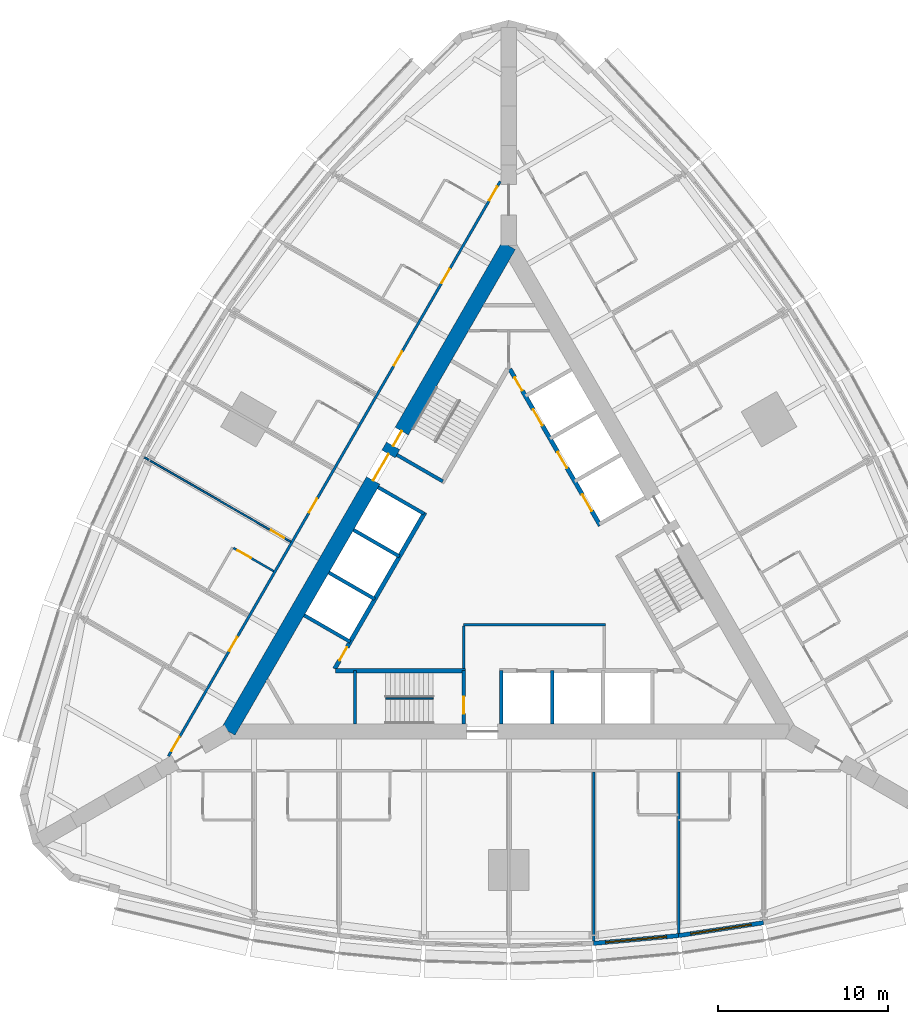
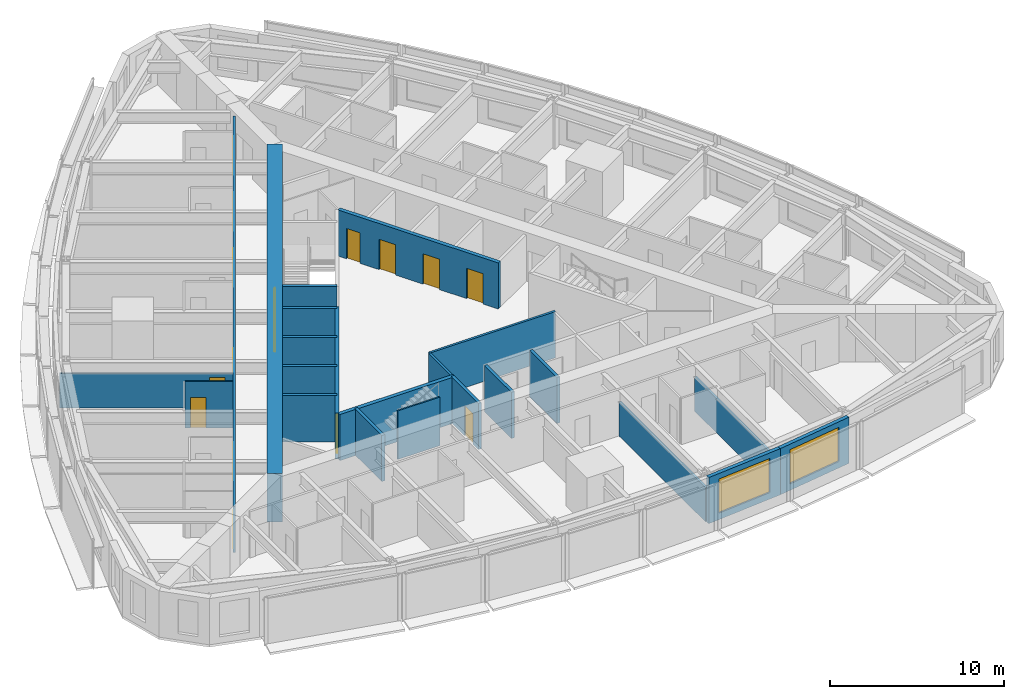
# One storey, part 9 of 14: 23 walls, 16 doors, 2 windows, 18 openings.
"""IFC4 building model written with IfcOpenShell, lengths in metres."""

from ifc_helpers import new_model, si_unit, direction, frame, frame_2d, origin, place, context, subcontext, project, spatial, rectangle, extrude, material, layer, layer_set, type_object, element, fill, save


model = new_model("IFC4")

# Units and contexts
model_context = context("Model", 3, precision=1e-05, world=origin(), true_north=direction((0.0, 1.0)))
body_context = subcontext(model_context, "Body", "Model", "MODEL_VIEW")
ifc_project = project(units=[si_unit("LENGTHUNIT", "METRE"), si_unit("AREAUNIT", "SQUARE_METRE"), si_unit("VOLUMEUNIT", "CUBIC_METRE"), si_unit("PLANEANGLEUNIT", "RADIAN"), si_unit("MASSUNIT", "GRAM", prefix="KILO")], contexts=[model_context])

# Site, building, storey
site_placement = place(None, origin())
site = spatial("IfcSite", under=ifc_project, at=site_placement, CompositionType="ELEMENT")
building_placement = place(site_placement, origin())
building = spatial("IfcBuilding", under=site, at=building_placement, Name="Trikona Tower", CompositionType="ELEMENT")
storey_placement = place(building_placement, frame((0.0, 0.0, 38.699951171875)))
storey = spatial("IfcBuildingStorey", under=building, at=storey_placement, Name="L08", CompositionType="ELEMENT", Elevation=38.699951171875)

# Wall, opening, door
ifc_material_1 = material(Name="Metal stud and cement board", Category="gypsum")
ifc_layer_1 = layer(ifc_material_1, 0.1201171875)
ifc_layer_set_1 = layer_set([ifc_layer_1], Name="Bathroom wall 120")
wall_type_1 = type_object("IfcWallType", Name="Bathroom wall 120", PredefinedType="PLUMBINGWALL", material=ifc_layer_set_1)
wall_1_placement = place(storey_placement, frame((-13.82861328125, -0.09912109375, 0.0), z_axis=(0.0, 0.0, 1.0), x_axis=(-0.865997131366, 0.500048966069, 0.0)))
wall_1 = element("IfcWall", 1, at=wall_1_placement, inside=storey, type_object=wall_type_1, Name="Bathroom wall 0816.1", PredefinedType="PLUMBINGWALL", context=body_context, shape_type="SweptSolid", body=[
    extrude(rectangle(XDim=2.739990234375, YDim=0.1201171875, at=frame_2d((1.3701171875, 0.0))), origin(), (0.0, 0.0, 1.0), 3.235107421875),
])
opening_1_placement = place(wall_1_placement, frame((1.550048828125, 0.0, 0.0)))
opening_1 = element("IfcOpeningElement", 2, at=opening_1_placement, cuts=wall_1, Name="Opening D2", PredefinedType="OPENING", context=body_context, shape_type="SweptSolid", body=[
    extrude(rectangle(XDim=0.89990234375, YDim=2.1298828125, at=frame_2d((0.449951171875, 1.06494140625))), frame((0.0, 0.070068359375, 0.0), z_axis=(0.0, -1.0, 0.0), x_axis=(1.0, 0.0, 0.0)), (0.0, 0.0, 1.0), 0.14013671875),
])
ifc_material_2 = material(Name="Steel door frame with solid-core timber leaf", Category="steel")
door_type_1 = type_object("IfcDoorType", Name="Bathroom door 900x2130", OperationType="SLIDING_TO_LEFT", PredefinedType="DOOR", material=ifc_material_2)
door_1_placement = place(opening_1_placement, origin())
door_1 = element("IfcDoor", 3, at=door_1_placement, inside=storey, type_object=door_type_1, Name="Bathroom door 0816.1", OperationType="SLIDING_TO_LEFT", OverallHeight=2.1298828125, OverallWidth=0.89990234375, PredefinedType="DOOR", context=body_context, shape_type="SweptSolid", body=[
    extrude(rectangle(XDim=0.89990234375, YDim=2.1298828125, at=frame_2d((0.449951171875, 1.06494140625))), frame((0.0, 0.02490234375, 0.0), z_axis=(0.0, -1.0, 0.0), x_axis=(1.0, 0.0, 0.0)), (0.0, 0.0, 1.0), 0.050048828125),
])
fill(opening_1, door_1)

# Wall, openings, doors
ifc_material_3 = material(Name="Concrete f'c 10000 psi", Category="concrete")
ifc_layer_2 = layer(ifc_material_3, 0.89990234375)
ifc_layer_set_2 = layer_set([ifc_layer_2], Name="Core wall 900")
wall_type_2 = type_object("IfcWallType", Name="Core wall 900", PredefinedType="SHEAR", material=ifc_layer_set_2)
wall_2_placement = place(storey_placement, frame((0.0, 19.052490234375, 0.0), z_axis=(0.0, 0.0, 1.0), x_axis=(-0.499999749417, -0.866025548458, 0.0)))
wall_2 = element("IfcWall", 4, at=wall_2_placement, inside=storey, type_object=wall_type_2, Name="Core wall C", PredefinedType="SHEAR", context=body_context, shape_type="SweptSolid", body=[
    extrude(rectangle(XDim=33.0, YDim=0.89990234375, at=frame_2d((16.5, 0.0))), origin(), (0.0, 0.0, 1.0), 3.400146484375),
])
opening_2_placement = place(wall_2_placement, frame((14.14990234375, 0.0, 0.0)))
opening_2 = element("IfcOpeningElement", 5, at=opening_2_placement, cuts=wall_2, Name="Opening D6", PredefinedType="OPENING", context=body_context, shape_type="SweptSolid", body=[
    extrude(rectangle(XDim=1.800048828125, YDim=2.1298828125, at=frame_2d((0.89990234375, 1.06494140625))), frame((0.0, 0.4599609375, 0.0), z_axis=(0.0, -1.0, 0.0), x_axis=(1.0, 0.0, 0.0)), (0.0, 0.0, 1.0), 0.919921875),
])
opening_3_placement = place(wall_2_placement, frame((12.60009765625, 0.0, 0.0)))
opening_3 = element("IfcOpeningElement", 6, at=opening_3_placement, cuts=wall_2, Name="Opening D5", PredefinedType="OPENING", context=body_context, shape_type="SweptSolid", body=[
    extrude(rectangle(XDim=1.0, YDim=2.1298828125, at=frame_2d((0.5, 1.06494140625))), frame((0.0, 0.4599609375, 0.0), z_axis=(0.0, -1.0, 0.0), x_axis=(1.0, 0.0, 0.0)), (0.0, 0.0, 1.0), 0.919921875),
])
ifc_material_4 = material(Name="Hollow metal door and frame", Category="steel")
door_type_2 = type_object("IfcDoorType", Name="Lobby door pair 1800x2130", OperationType="DOUBLE_DOOR_SINGLE_SWING", PredefinedType="DOOR", material=ifc_material_4)
door_2_placement = place(opening_2_placement, origin())
door_2 = element("IfcDoor", 7, at=door_2_placement, inside=storey, type_object=door_type_2, Name="Lift lobby door C", OperationType="DOUBLE_DOOR_SINGLE_SWING", OverallHeight=2.1298828125, OverallWidth=1.800048828125, PredefinedType="DOOR", context=body_context, shape_type="SweptSolid", body=[
    extrude(rectangle(XDim=1.800048828125, YDim=2.1298828125, at=frame_2d((0.89990234375, 1.06494140625))), frame((0.0, 0.02490234375, 0.0), z_axis=(0.0, -1.0, 0.0), x_axis=(1.0, 0.0, 0.0)), (0.0, 0.0, 1.0), 0.050048828125),
])
fill(opening_2, door_2)
ifc_material_5 = material(Name="Hollow metal door and frame", Category="steel")
door_type_3 = type_object("IfcDoorType", Name="Stair door 1000x2130", OperationType="SINGLE_SWING_LEFT", PredefinedType="DOOR", material=ifc_material_5)
door_3_placement = place(opening_3_placement, origin())
door_3 = element("IfcDoor", 8, at=door_3_placement, inside=storey, type_object=door_type_3, Name="Stair C door", OperationType="SINGLE_SWING_RIGHT", OverallHeight=2.1298828125, OverallWidth=1.0, PredefinedType="DOOR", context=body_context, shape_type="SweptSolid", body=[
    extrude(rectangle(XDim=1.0, YDim=2.1298828125, at=frame_2d((0.5, 1.06494140625))), frame((0.0, 0.02490234375, 0.0), z_axis=(0.0, -1.0, 0.0), x_axis=(1.0, 0.0, 0.0)), (0.0, 0.0, 1.0), 0.050048828125),
])
fill(opening_3, door_3)

ifc_material_6 = material(Name="Metal stud and gypsum board, 1-hour", Category="gypsum")
ifc_layer_3 = layer(ifc_material_6, 0.14990234375)
ifc_layer_set_3 = layer_set([ifc_layer_3], Name="Corridor wall 150")
wall_type_3 = type_object("IfcWallType", Name="Corridor wall 150", PredefinedType="PARTITIONING", material=ifc_layer_set_3)
wall_3_placement = place(storey_placement, frame((-0.5, 22.83642578125, 0.0), z_axis=(0.0, 0.0, 1.0), x_axis=(-0.500001677587, -0.866024435227, 0.0)))
wall_3 = element("IfcWall", 9, at=wall_3_placement, inside=storey, type_object=wall_type_3, Name="Corridor wall L08-3", PredefinedType="PARTITIONING", context=body_context, shape_type="SweptSolid", body=[
    extrude(rectangle(XDim=39.053955078125, YDim=0.14990234375, at=frame_2d((19.52685546875, 0.0))), origin(), (0.0, 0.0, 1.0), 3.235107421875),
])
opening_4_placement = place(wall_3_placement, frame((0.35205078125, 0.0, 0.0)))
opening_4 = element("IfcOpeningElement", 10, at=opening_4_placement, cuts=wall_3, Name="Opening D1", PredefinedType="OPENING", context=body_context, shape_type="SweptSolid", body=[
    extrude(rectangle(XDim=0.949951171875, YDim=2.1298828125, at=frame_2d((0.47509765625, 1.06494140625))), frame((0.0, 0.0849609375, 0.0), z_axis=(0.0, -1.0, 0.0), x_axis=(1.0, 0.0, 0.0)), (0.0, 0.0, 1.0), 0.169921875),
])
opening_5_placement = place(wall_3_placement, frame((5.951904296875, 0.0, 0.0)))
opening_5 = element("IfcOpeningElement", 11, at=opening_5_placement, cuts=wall_3, Name="Opening D1", PredefinedType="OPENING", context=body_context, shape_type="SweptSolid", body=[
    extrude(rectangle(XDim=0.949951171875, YDim=2.1298828125, at=frame_2d((0.47509765625, 1.06494140625))), frame((0.0, 0.0849609375, 0.0), z_axis=(0.0, -1.0, 0.0), x_axis=(1.0, 0.0, 0.0)), (0.0, 0.0, 1.0), 0.169921875),
])
opening_6_placement = place(wall_3_placement, frame((11.552001953125, 0.0, 0.0)))
opening_6 = element("IfcOpeningElement", 12, at=opening_6_placement, cuts=wall_3, Name="Opening D1", PredefinedType="OPENING", context=body_context, shape_type="SweptSolid", body=[
    extrude(rectangle(XDim=0.949951171875, YDim=2.1298828125, at=frame_2d((0.47509765625, 1.06494140625))), frame((0.0, 0.0849609375, 0.0), z_axis=(0.0, -1.0, 0.0), x_axis=(1.0, 0.0, 0.0)), (0.0, 0.0, 1.0), 0.169921875),
])
opening_7_placement = place(wall_3_placement, frame((21.552001953125, 0.0, 0.0)))
opening_7 = element("IfcOpeningElement", 13, at=opening_7_placement, cuts=wall_3, Name="Opening D1", PredefinedType="OPENING", context=body_context, shape_type="SweptSolid", body=[
    extrude(rectangle(XDim=0.949951171875, YDim=2.1298828125, at=frame_2d((0.47509765625, 1.06494140625))), frame((0.0, 0.0849609375, 0.0), z_axis=(0.0, -1.0, 0.0), x_axis=(1.0, 0.0, 0.0)), (0.0, 0.0, 1.0), 0.169921875),
])
opening_8_placement = place(wall_3_placement, frame((30.951904296875, 0.0, 0.0)))
opening_8 = element("IfcOpeningElement", 14, at=opening_8_placement, cuts=wall_3, Name="Opening D1", PredefinedType="OPENING", context=body_context, shape_type="SweptSolid", body=[
    extrude(rectangle(XDim=0.949951171875, YDim=2.1298828125, at=frame_2d((0.47509765625, 1.06494140625))), frame((0.0, 0.0849609375, 0.0), z_axis=(0.0, -1.0, 0.0), x_axis=(1.0, 0.0, 0.0)), (0.0, 0.0, 1.0), 0.169921875),
])
opening_9_placement = place(wall_3_placement, frame((37.751953125, 0.0, 0.0)))
opening_9 = element("IfcOpeningElement", 15, at=opening_9_placement, cuts=wall_3, Name="Opening D1", PredefinedType="OPENING", context=body_context, shape_type="SweptSolid", body=[
    extrude(rectangle(XDim=0.949951171875, YDim=2.1298828125, at=frame_2d((0.47509765625, 1.06494140625))), frame((0.0, 0.0849609375, 0.0), z_axis=(0.0, -1.0, 0.0), x_axis=(1.0, 0.0, 0.0)), (0.0, 0.0, 1.0), 0.169921875),
])
ifc_material_7 = material(Name="Steel door frame with solid-core timber leaf", Category="steel")
door_type_4 = type_object("IfcDoorType", Name="Guest room door 950x2130", OperationType="SINGLE_SWING_LEFT", PredefinedType="DOOR", material=ifc_material_7)
door_4_placement = place(opening_4_placement, origin())
door_4 = element("IfcDoor", 16, at=door_4_placement, inside=storey, type_object=door_type_4, Name="Room door 0813", OperationType="SINGLE_SWING_LEFT", OverallHeight=2.1298828125, OverallWidth=0.949951171875, PredefinedType="DOOR", context=body_context, shape_type="SweptSolid", body=[
    extrude(rectangle(XDim=0.949951171875, YDim=2.1298828125, at=frame_2d((0.47509765625, 1.06494140625))), frame((0.0, 0.02490234375, 0.0), z_axis=(0.0, -1.0, 0.0), x_axis=(1.0, 0.0, 0.0)), (0.0, 0.0, 1.0), 0.050048828125),
])
fill(opening_4, door_4)
door_5_placement = place(opening_5_placement, origin())
door_5 = element("IfcDoor", 17, at=door_5_placement, inside=storey, type_object=door_type_4, Name="Room door 0814", OperationType="SINGLE_SWING_RIGHT", OverallHeight=2.1298828125, OverallWidth=0.949951171875, PredefinedType="DOOR", context=body_context, shape_type="SweptSolid", body=[
    extrude(rectangle(XDim=0.949951171875, YDim=2.1298828125, at=frame_2d((0.47509765625, 1.06494140625))), frame((0.0, 0.02490234375, 0.0), z_axis=(0.0, -1.0, 0.0), x_axis=(1.0, 0.0, 0.0)), (0.0, 0.0, 1.0), 0.050048828125),
])
fill(opening_5, door_5)
door_6_placement = place(opening_6_placement, origin())
door_6 = element("IfcDoor", 18, at=door_6_placement, inside=storey, type_object=door_type_4, Name="Room door 0815", OperationType="SINGLE_SWING_LEFT", OverallHeight=2.1298828125, OverallWidth=0.949951171875, PredefinedType="DOOR", context=body_context, shape_type="SweptSolid", body=[
    extrude(rectangle(XDim=0.949951171875, YDim=2.1298828125, at=frame_2d((0.47509765625, 1.06494140625))), frame((0.0, 0.02490234375, 0.0), z_axis=(0.0, -1.0, 0.0), x_axis=(1.0, 0.0, 0.0)), (0.0, 0.0, 1.0), 0.050048828125),
])
fill(opening_6, door_6)
door_7_placement = place(opening_7_placement, origin())
door_7 = element("IfcDoor", 19, at=door_7_placement, inside=storey, type_object=door_type_4, Name="Room door 0816", OperationType="SINGLE_SWING_RIGHT", OverallHeight=2.1298828125, OverallWidth=0.949951171875, PredefinedType="DOOR", context=body_context, shape_type="SweptSolid", body=[
    extrude(rectangle(XDim=0.949951171875, YDim=2.1298828125, at=frame_2d((0.47509765625, 1.06494140625))), frame((0.0, 0.02490234375, 0.0), z_axis=(0.0, -1.0, 0.0), x_axis=(1.0, 0.0, 0.0)), (0.0, 0.0, 1.0), 0.050048828125),
])
fill(opening_7, door_7)
door_8_placement = place(opening_8_placement, origin())
door_8 = element("IfcDoor", 20, at=door_8_placement, inside=storey, type_object=door_type_4, Name="Room door 0817", OperationType="SINGLE_SWING_LEFT", OverallHeight=2.1298828125, OverallWidth=0.949951171875, PredefinedType="DOOR", context=body_context, shape_type="SweptSolid", body=[
    extrude(rectangle(XDim=0.949951171875, YDim=2.1298828125, at=frame_2d((0.47509765625, 1.06494140625))), frame((0.0, 0.02490234375, 0.0), z_axis=(0.0, -1.0, 0.0), x_axis=(1.0, 0.0, 0.0)), (0.0, 0.0, 1.0), 0.050048828125),
])
fill(opening_8, door_8)
door_9_placement = place(opening_9_placement, origin())
door_9 = element("IfcDoor", 21, at=door_9_placement, inside=storey, type_object=door_type_4, Name="Room door 0818", OperationType="SINGLE_SWING_RIGHT", OverallHeight=2.1298828125, OverallWidth=0.949951171875, PredefinedType="DOOR", context=body_context, shape_type="SweptSolid", body=[
    extrude(rectangle(XDim=0.949951171875, YDim=2.1298828125, at=frame_2d((0.47509765625, 1.06494140625))), frame((0.0, 0.02490234375, 0.0), z_axis=(0.0, -1.0, 0.0), x_axis=(1.0, 0.0, 0.0)), (0.0, 0.0, 1.0), 0.050048828125),
])
fill(opening_9, door_9)

# Wall
ifc_material_8 = material(Name="Concrete f'c 8000 psi", Category="concrete")
ifc_layer_4 = layer(ifc_material_8, 0.25)
ifc_layer_set_4 = layer_set([ifc_layer_4], Name="Hub wall 250")
wall_type_4 = type_object("IfcWallType", Name="Hub wall 250", PredefinedType="SOLIDWALL", material=ifc_layer_set_4)
wall_4_placement = place(storey_placement, frame((-10.182861328125, -5.951416015625, 0.0), z_axis=(0.0, 0.0, 1.0), x_axis=(1.0, 0.0, 0.0)))
element("IfcWall", 22, at=wall_4_placement, inside=storey, type_object=wall_type_4, Name="Lift lobby wall A1", PredefinedType="SOLIDWALL", context=body_context, shape_type="SweptSolid", body=[
    extrude(rectangle(XDim=7.6328125, YDim=0.25, at=frame_2d((3.81640625, 0.0))), origin(), (0.0, 0.0, 1.0), 3.235107421875),
])

# Wall, openings, doors
wall_5_placement = place(storey_placement, frame((5.37890625, 2.5859375, 0.0), z_axis=(0.0, 0.0, 1.0), x_axis=(-0.500001375892, 0.866024609411, 0.0)))
wall_5 = element("IfcWall", 23, at=wall_5_placement, inside=storey, type_object=wall_type_4, Name="Lift lobby wall B2", PredefinedType="SOLIDWALL", context=body_context, shape_type="SweptSolid", body=[
    extrude(rectangle(XDim=10.6328125, YDim=0.25, at=frame_2d((5.31640625, 0.0))), origin(), (0.0, 0.0, 1.0), 3.235107421875),
])
opening_10_placement = place(wall_5_placement, frame((9.1640625, 0.0, 0.0)))
opening_10 = element("IfcOpeningElement", 24, at=opening_10_placement, cuts=wall_5, Name="Opening D14", PredefinedType="OPENING", context=body_context, shape_type="SweptSolid", body=[
    extrude(rectangle(XDim=0.89990234375, YDim=2.1298828125, at=frame_2d((0.449951171875, 1.06494140625))), frame((0.0, 0.135009765625, 0.0), z_axis=(0.0, -1.0, 0.0), x_axis=(1.0, 0.0, 0.0)), (0.0, 0.0, 1.0), 0.27001953125),
])
opening_11_placement = place(wall_5_placement, frame((1.0, 0.0, 0.0)))
opening_11 = element("IfcOpeningElement", 25, at=opening_11_placement, cuts=wall_5, Name="Opening LD", PredefinedType="OPENING", context=body_context, shape_type="SweptSolid", body=[
    extrude(rectangle(XDim=1.10009765625, YDim=2.1298828125, at=frame_2d((0.550048828125, 1.06494140625))), frame((0.0, 0.135009765625, 0.0), z_axis=(0.0, -1.0, 0.0), x_axis=(1.0, 0.0, 0.0)), (0.0, 0.0, 1.0), 0.27001953125),
])
opening_12_placement = place(wall_5_placement, frame((3.89990234375, 0.0, 0.0)))
opening_12 = element("IfcOpeningElement", 26, at=opening_12_placement, cuts=wall_5, Name="Opening LD", PredefinedType="OPENING", context=body_context, shape_type="SweptSolid", body=[
    extrude(rectangle(XDim=1.10009765625, YDim=2.1298828125, at=frame_2d((0.550048828125, 1.06494140625))), frame((0.0, 0.135009765625, 0.0), z_axis=(0.0, -1.0, 0.0), x_axis=(1.0, 0.0, 0.0)), (0.0, 0.0, 1.0), 0.27001953125),
])
opening_13_placement = place(wall_5_placement, frame((6.800048828125, 0.0, 0.0)))
opening_13 = element("IfcOpeningElement", 27, at=opening_13_placement, cuts=wall_5, Name="Opening LD", PredefinedType="OPENING", context=body_context, shape_type="SweptSolid", body=[
    extrude(rectangle(XDim=1.10009765625, YDim=2.1298828125, at=frame_2d((0.550048828125, 1.06494140625))), frame((0.0, 0.135009765625, 0.0), z_axis=(0.0, -1.0, 0.0), x_axis=(1.0, 0.0, 0.0)), (0.0, 0.0, 1.0), 0.27001953125),
])
ifc_material_9 = material(Name="Stainless steel lift landing door", Category="steel")
door_type_5 = type_object("IfcDoorType", Name="Lift landing door 1100x2130", OperationType="DOUBLE_DOOR_SLIDING", PredefinedType="USERDEFINED", material=ifc_material_9)
door_10_placement = place(opening_11_placement, origin())
door_10 = element("IfcDoor", 28, at=door_10_placement, inside=storey, type_object=door_type_5, Name="Lift landing door L1-1", ObjectType="LIFT LANDING DOOR", OperationType="DOUBLE_DOOR_SLIDING", OverallHeight=2.1298828125, OverallWidth=1.10009765625, PredefinedType="USERDEFINED", context=body_context, shape_type="SweptSolid", body=[
    extrude(rectangle(XDim=1.10009765625, YDim=2.1298828125, at=frame_2d((0.550048828125, 1.06494140625))), frame((0.0, 0.02490234375, 0.0), z_axis=(0.0, -1.0, 0.0), x_axis=(1.0, 0.0, 0.0)), (0.0, 0.0, 1.0), 0.050048828125),
])
fill(opening_11, door_10)
door_11_placement = place(opening_12_placement, origin())
door_11 = element("IfcDoor", 29, at=door_11_placement, inside=storey, type_object=door_type_5, Name="Lift landing door L1-2", ObjectType="LIFT LANDING DOOR", OperationType="DOUBLE_DOOR_SLIDING", OverallHeight=2.1298828125, OverallWidth=1.10009765625, PredefinedType="USERDEFINED", context=body_context, shape_type="SweptSolid", body=[
    extrude(rectangle(XDim=1.10009765625, YDim=2.1298828125, at=frame_2d((0.550048828125, 1.06494140625))), frame((0.0, 0.02490234375, 0.0), z_axis=(0.0, -1.0, 0.0), x_axis=(1.0, 0.0, 0.0)), (0.0, 0.0, 1.0), 0.050048828125),
])
fill(opening_12, door_11)
door_12_placement = place(opening_13_placement, origin())
door_12 = element("IfcDoor", 30, at=door_12_placement, inside=storey, type_object=door_type_5, Name="Lift landing door L1-3", ObjectType="LIFT LANDING DOOR", OperationType="DOUBLE_DOOR_SLIDING", OverallHeight=2.1298828125, OverallWidth=1.10009765625, PredefinedType="USERDEFINED", context=body_context, shape_type="SweptSolid", body=[
    extrude(rectangle(XDim=1.10009765625, YDim=2.1298828125, at=frame_2d((0.550048828125, 1.06494140625))), frame((0.0, 0.02490234375, 0.0), z_axis=(0.0, -1.0, 0.0), x_axis=(1.0, 0.0, 0.0)), (0.0, 0.0, 1.0), 0.050048828125),
])
fill(opening_13, door_12)
ifc_material_10 = material(Name="Hollow metal door and frame", Category="steel")
door_type_6 = type_object("IfcDoorType", Name="Service room door 900x2130", OperationType="SINGLE_SWING_LEFT", PredefinedType="DOOR", material=ifc_material_10)
door_13_placement = place(opening_10_placement, origin())
door_13 = element("IfcDoor", 31, at=door_13_placement, inside=storey, type_object=door_type_6, Name="Door Ice and vending ICE", OperationType="SINGLE_SWING_RIGHT", OverallHeight=2.1298828125, OverallWidth=0.89990234375, PredefinedType="DOOR", context=body_context, shape_type="SweptSolid", body=[
    extrude(rectangle(XDim=0.89990234375, YDim=2.1298828125, at=frame_2d((0.449951171875, 1.06494140625))), frame((0.0, 0.02490234375, 0.0), z_axis=(0.0, -1.0, 0.0), x_axis=(1.0, 0.0, 0.0)), (0.0, 0.0, 1.0), 0.050048828125),
])
fill(opening_10, door_13)

# Wall, opening, door
wall_6_placement = place(storey_placement, frame((-4.928955078125, 3.365478515625, 0.0), z_axis=(0.0, 0.0, 1.0), x_axis=(-0.499991433582, -0.866030349552, 0.0)))
wall_6 = element("IfcWall", 32, at=wall_6_placement, inside=storey, type_object=wall_type_4, Name="Lift lobby wall C2", PredefinedType="SOLIDWALL", context=body_context, shape_type="SweptSolid", body=[
    extrude(rectangle(XDim=10.633056640625, YDim=0.25, at=frame_2d((5.31640625, 0.0))), origin(), (0.0, 0.0, 1.0), 3.235107421875),
])
opening_14_placement = place(wall_6_placement, frame((9.1640625, 0.0, 0.0)))
opening_14 = element("IfcOpeningElement", 33, at=opening_14_placement, cuts=wall_6, Name="Opening D14", PredefinedType="OPENING", context=body_context, shape_type="SweptSolid", body=[
    extrude(rectangle(XDim=0.89990234375, YDim=2.1298828125, at=frame_2d((0.449951171875, 1.06494140625))), frame((0.0, 0.135009765625, 0.0), z_axis=(0.0, -1.0, 0.0), x_axis=(1.0, 0.0, 0.0)), (0.0, 0.0, 1.0), 0.27001953125),
])
door_14_placement = place(opening_14_placement, origin())
door_14 = element("IfcDoor", 34, at=door_14_placement, inside=storey, type_object=door_type_6, Name="Door Linen store LIN", OperationType="SINGLE_SWING_RIGHT", OverallHeight=2.1298828125, OverallWidth=0.89990234375, PredefinedType="DOOR", context=body_context, shape_type="SweptSolid", body=[
    extrude(rectangle(XDim=0.89990234375, YDim=2.1298828125, at=frame_2d((0.449951171875, 1.06494140625))), frame((0.0, 0.02490234375, 0.0), z_axis=(0.0, -1.0, 0.0), x_axis=(1.0, 0.0, 0.0)), (0.0, 0.0, 1.0), 0.050048828125),
])
fill(opening_14, door_14)

# Wall, opening, window
ifc_material_11 = material(Name="Insulated precast concrete spandrel panel", Category="concrete")
ifc_layer_5 = layer(ifc_material_11, 0.25)
ifc_layer_set_5 = layer_set([ifc_layer_5], Name="Inner skin wall 250")
wall_type_5 = type_object("IfcWallType", Name="Inner skin wall 250", PredefinedType="STANDARD", material=ifc_layer_set_5)
wall_7_placement = place(storey_placement, frame((4.988525390625, -21.995849609375, 0.0), z_axis=(0.0, 0.0, 1.0), x_axis=(0.995857256774, 0.090930325692, 0.0)))
wall_7 = element("IfcWall", 35, at=wall_7_placement, inside=storey, type_object=wall_type_5, Name="External wall L08-05", PredefinedType="STANDARD", context=body_context, shape_type="SweptSolid", body=[
    extrude(rectangle(XDim=5.020751953125, YDim=0.25, at=frame_2d((2.51025390625, 0.0))), origin(), (0.0, 0.0, 1.0), 3.235107421875),
])
opening_15_placement = place(wall_7_placement, frame((0.71044921875, 0.0, 0.449951171875)))
opening_15 = element("IfcOpeningElement", 36, at=opening_15_placement, cuts=wall_7, Name="Opening W3624", PredefinedType="OPENING", context=body_context, shape_type="SweptSolid", body=[
    extrude(rectangle(XDim=3.60009765625, YDim=2.39990234375, at=frame_2d((1.800048828125, 1.199951171875))), frame((0.0, 0.135009765625, 0.0), z_axis=(0.0, -1.0, 0.0), x_axis=(1.0, 0.0, 0.0)), (0.0, 0.0, 1.0), 0.27001953125),
])
ifc_material_12 = material(Name="Aluminium-framed double glazing", Category="aluminium")
window_type = type_object("IfcWindowType", Name="Window 3600x2400", PartitioningType="SINGLE_PANEL", PredefinedType="WINDOW", material=ifc_material_12)
window_1_placement = place(opening_15_placement, origin())
window_1 = element("IfcWindow", 37, at=window_1_placement, inside=storey, type_object=window_type, Name="Window 0804", OverallHeight=2.39990234375, OverallWidth=3.60009765625, PartitioningType="SINGLE_PANEL", PredefinedType="WINDOW", context=body_context, shape_type="SweptSolid", body=[
    extrude(rectangle(XDim=3.60009765625, YDim=2.39990234375, at=frame_2d((1.800048828125, 1.199951171875))), frame((0.0, 0.030029296875, 0.0), z_axis=(0.0, -1.0, 0.0), x_axis=(1.0, 0.0, 0.0)), (0.0, 0.0, 1.0), 0.06005859375),
])
fill(opening_15, window_1)

wall_8_placement = place(storey_placement, frame((9.981201171875, -21.540283203125, 0.0), z_axis=(0.0, 0.0, 1.0), x_axis=(0.988615403399, 0.150464561152, 0.0)))
wall_8 = element("IfcWall", 38, at=wall_8_placement, inside=storey, type_object=wall_type_5, Name="External wall L08-06", PredefinedType="STANDARD", context=body_context, shape_type="SweptSolid", body=[
    extrude(rectangle(XDim=5.0576171875, YDim=0.25, at=frame_2d((2.52880859375, 0.0))), origin(), (0.0, 0.0, 1.0), 3.235107421875),
])
opening_16_placement = place(wall_8_placement, frame((0.728759765625, 0.0, 0.449951171875)))
opening_16 = element("IfcOpeningElement", 39, at=opening_16_placement, cuts=wall_8, Name="Opening W3624", PredefinedType="OPENING", context=body_context, shape_type="SweptSolid", body=[
    extrude(rectangle(XDim=3.60009765625, YDim=2.39990234375, at=frame_2d((1.800048828125, 1.199951171875))), frame((0.0, 0.135009765625, 0.0), z_axis=(0.0, -1.0, 0.0), x_axis=(1.0, 0.0, 0.0)), (0.0, 0.0, 1.0), 0.27001953125),
])
window_2_placement = place(opening_16_placement, origin())
window_2 = element("IfcWindow", 40, at=window_2_placement, inside=storey, type_object=window_type, Name="Window 0805.1", OverallHeight=2.39990234375, OverallWidth=3.60009765625, PartitioningType="SINGLE_PANEL", PredefinedType="WINDOW", context=body_context, shape_type="SweptSolid", body=[
    extrude(rectangle(XDim=3.60009765625, YDim=2.39990234375, at=frame_2d((1.800048828125, 1.199951171875))), frame((0.0, 0.030029296875, 0.0), z_axis=(0.0, -1.0, 0.0), x_axis=(1.0, 0.0, 0.0)), (0.0, 0.0, 1.0), 0.06005859375),
])
fill(opening_16, window_2)

# Walls
ifc_material_13 = material(Name="Metal stud and gypsum board, 2-hour shaft wall", Category="gypsum")
ifc_layer_6 = layer(ifc_material_13, 0.14990234375)
ifc_layer_set_6 = layer_set([ifc_layer_6], Name="Lobby wall 150")
wall_type_6 = type_object("IfcWallType", Name="Lobby wall 150", PredefinedType="PARTITIONING", material=ifc_layer_set_6)
wall_9_placement = place(storey_placement, frame((-2.64990234375, -3.251220703125, 0.0), z_axis=(0.0, 0.0, 1.0), x_axis=(1.0, 0.0, 0.0)))
element("IfcWall", 41, at=wall_9_placement, inside=storey, type_object=wall_type_6, Name="Fire service lift lobby wall 1", PredefinedType="PARTITIONING", context=body_context, shape_type="SweptSolid", body=[
    extrude(rectangle(XDim=8.349853515625, YDim=0.14990234375, at=frame_2d((4.1748046875, 0.0))), origin(), (0.0, 0.0, 1.0), 3.235107421875),
])
wall_10_placement = place(storey_placement, frame((-2.64990234375, -5.826416015625, 0.0), z_axis=(0.0, 0.0, 1.0), x_axis=(0.0, 1.0, 0.0)))
element("IfcWall", 42, at=wall_10_placement, inside=storey, type_object=wall_type_6, Name="Fire service lift lobby wall 2", PredefinedType="PARTITIONING", context=body_context, shape_type="SweptSolid", body=[
    extrude(rectangle(XDim=2.5, YDim=0.14990234375, at=frame_2d((1.25, 0.0))), origin(), (0.0, 0.0, 1.0), 3.235107421875),
])
ifc_material_14 = material(Name="Metal stud and gypsum board, 1-hour acoustic", Category="gypsum")
ifc_layer_7 = layer(ifc_material_14, 0.14990234375)
ifc_layer_set_7 = layer_set([ifc_layer_7], Name="Party wall 150")
wall_type_7 = type_object("IfcWallType", Name="Party wall 150", PredefinedType="PARTITIONING", material=ifc_layer_set_7)
wall_11_placement = place(storey_placement, frame((5.0, -11.92626953125, 0.0), z_axis=(0.0, 0.0, 1.0), x_axis=(0.0, -1.0, 0.0)))
element("IfcWall", 43, at=wall_11_placement, inside=storey, type_object=wall_type_7, Name="Partition L08 F1 u5", PredefinedType="PARTITIONING", context=body_context, shape_type="SweptSolid", body=[
    extrude(rectangle(XDim=9.943115234375, YDim=0.14990234375, at=frame_2d((4.9716796875, 0.0))), origin(), (0.0, 0.0, 1.0), 2.38916015625),
])
wall_12_placement = place(storey_placement, frame((10.0, -11.92626953125, 0.0), z_axis=(0.0, 0.0, 1.0), x_axis=(0.0, -1.0, 0.0)))
element("IfcWall", 44, at=wall_12_placement, inside=storey, type_object=wall_type_7, Name="Partition L08 F1 u10", PredefinedType="PARTITIONING", context=body_context, shape_type="SweptSolid", body=[
    extrude(rectangle(XDim=9.484619140625, YDim=0.14990234375, at=frame_2d((4.7421875, 0.0))), origin(), (0.0, 0.0, 1.0), 2.38916015625),
])
ifc_material_15 = material(Name="Concrete f'c 8000 psi", Category="concrete")
ifc_layer_8 = layer(ifc_material_15, 0.199951171875)
ifc_layer_set_8 = layer_set([ifc_layer_8], Name="Shaft wall 200")
wall_type_8 = type_object("IfcWallType", Name="Shaft wall 200", PredefinedType="SOLIDWALL", material=ifc_layer_set_8)
for number, where, z_axis, x_axis, name in (
    (45, (-0.449951171875, -5.951416015625, 0.0), (0.0, 0.0, 1.0), (0.0, -1.0, 0.0), "Shaft wall A3"),
    (46, (2.550048828125, -5.951416015625, 0.0), (0.0, 0.0, 1.0), (0.0, -1.0, 0.0), "Shaft wall A4"),
    (47, (-4.97900390625, 3.27880859375, 0.0), (0.0, 0.0, 1.0), (-0.866022959057, 0.500004234368, 0.0), "Shaft wall C3"),
    (48, (-6.428955078125, 0.767333984375, 0.0), (0.0, 0.0, 1.0), (-0.866022959057, 0.500004234368, 0.0), "Shaft wall C4"),
    (49, (-7.87890625, -1.744140625, 0.0), (0.0, 0.0, 1.0), (-0.866022959057, 0.500004234368, 0.0), "Shaft wall C5"),
    (50, (-9.3291015625, -4.255615234375, 0.0), (0.0, 0.0, 1.0), (-0.866022959057, 0.500004234368, 0.0), "Shaft wall C6"),
):
    element("IfcWall", number, at=place(storey_placement, frame(where, z_axis=z_axis, x_axis=x_axis)), inside=storey, type_object=wall_type_8, Name=name, PredefinedType="SOLIDWALL", context=body_context, shape_type="SweptSolid", body=[
        extrude(rectangle(XDim=3.125, YDim=0.199951171875, at=frame_2d((1.5625, 0.0))), origin(), (0.0, 0.0, 1.0), 3.235107421875),
    ])
ifc_material_16 = material(Name="Concrete f'c 8000 psi", Category="concrete")
ifc_layer_9 = layer(ifc_material_16, 0.199951171875)
ifc_layer_set_9 = layer_set([ifc_layer_9], Name="Shaft wall 200 load-bearing")
wall_type_9 = type_object("IfcWallType", Name="Shaft wall 200 load-bearing", PredefinedType="SOLIDWALL", material=ifc_layer_set_9)
wall_13_placement = place(storey_placement, frame((-9.050048828125, -5.951416015625, 0.0), z_axis=(0.0, 0.0, 1.0), x_axis=(0.0, -1.0, 0.0)))
element("IfcWall", 51, at=wall_13_placement, inside=storey, type_object=wall_type_9, Name="Shaft wall A1", PredefinedType="SOLIDWALL", context=body_context, shape_type="SweptSolid", body=[
    extrude(rectangle(XDim=3.125, YDim=0.199951171875, at=frame_2d((1.5625, 0.0))), origin(), (0.0, 0.0, 1.0), 3.235107421875),
])

# Wall, opening, door
wall_14_placement = place(storey_placement, frame((-2.64990234375, -5.951416015625, 0.0), z_axis=(0.0, 0.0, 1.0), x_axis=(0.0, -1.0, 0.0)))
wall_14 = element("IfcWall", 52, at=wall_14_placement, inside=storey, type_object=wall_type_9, Name="Shaft wall A2", PredefinedType="SOLIDWALL", context=body_context, shape_type="SweptSolid", body=[
    extrude(rectangle(XDim=3.125, YDim=0.199951171875, at=frame_2d((1.5625, 0.0))), origin(), (0.0, 0.0, 1.0), 3.235107421875),
])
opening_17_placement = place(wall_14_placement, frame((1.52490234375, 0.0, 0.0)))
opening_17 = element("IfcOpeningElement", 53, at=opening_17_placement, cuts=wall_14, Name="Opening D5", PredefinedType="OPENING", context=body_context, shape_type="SweptSolid", body=[
    extrude(rectangle(XDim=1.0, YDim=2.1298828125, at=frame_2d((0.5, 1.06494140625))), frame((0.0, 0.10986328125, 0.0), z_axis=(0.0, -1.0, 0.0), x_axis=(1.0, 0.0, 0.0)), (0.0, 0.0, 1.0), 0.219970703125),
])
door_15_placement = place(opening_17_placement, origin())
door_15 = element("IfcDoor", 54, at=door_15_placement, inside=storey, type_object=door_type_3, Name="Stair A door", OperationType="SINGLE_SWING_RIGHT", OverallHeight=2.1298828125, OverallWidth=1.0, PredefinedType="DOOR", context=body_context, shape_type="SweptSolid", body=[
    extrude(rectangle(XDim=1.0, YDim=2.1298828125, at=frame_2d((0.5, 1.06494140625))), frame((0.0, 0.02490234375, 0.0), z_axis=(0.0, -1.0, 0.0), x_axis=(1.0, 0.0, 0.0)), (0.0, 0.0, 1.0), 0.050048828125),
])
fill(opening_17, door_15)

# Walls
wall_15_placement = place(storey_placement, frame((-3.87890625, 5.18408203125, 0.0), z_axis=(0.0, 0.0, 1.0), x_axis=(-0.866022959057, 0.500004234368, 0.0)))
element("IfcWall", 55, at=wall_15_placement, inside=storey, type_object=wall_type_9, Name="Shaft wall C2", PredefinedType="SOLIDWALL", context=body_context, shape_type="SweptSolid", body=[
    extrude(rectangle(XDim=3.125, YDim=0.199951171875, at=frame_2d((1.5625, 0.0))), origin(), (0.0, 0.0, 1.0), 3.235107421875),
])
ifc_material_17 = material(Name="Concrete f'c 5000 psi", Category="concrete")
ifc_layer_10 = layer(ifc_material_17, 0.10009765625)
ifc_layer_set_10 = layer_set([ifc_layer_10], Name="Stair spine wall 100")
wall_type_10 = type_object("IfcWallType", Name="Stair spine wall 100", PredefinedType="SOLIDWALL", material=ifc_layer_set_10)
wall_16_placement = place(storey_placement, frame((-7.2470703125, -7.576416015625, 0.0), z_axis=(0.0, 0.0, 1.0), x_axis=(1.0, 0.0, 0.0)))
element("IfcWall", 56, at=wall_16_placement, inside=storey, type_object=wall_type_10, Name="Stair A spine wall L08", PredefinedType="SOLIDWALL", context=body_context, shape_type="SweptSolid", body=[
    extrude(rectangle(XDim=2.794189453125, YDim=0.10009765625, at=frame_2d((1.39697265625, 0.0))), origin(), (0.0, 0.0, 1.0), 3.400146484375),
])

# Wall, opening, door
ifc_material_18 = material(Name="Metal stud and gypsum board, acoustic", Category="gypsum")
ifc_layer_11 = layer(ifc_material_18, 0.10009765625)
ifc_layer_set_11 = layer_set([ifc_layer_11], Name="Suite partition 100")
wall_type_11 = type_object("IfcWallType", Name="Suite partition 100", PredefinedType="PARTITIONING", material=ifc_layer_set_11)
wall_17_placement = place(storey_placement, frame((-12.82861328125, 1.633056640625, 0.0), z_axis=(0.0, 0.0, 1.0), x_axis=(-0.866026934769, 0.499997348248, 0.0)))
wall_17 = element("IfcWall", 57, at=wall_17_placement, inside=storey, type_object=wall_type_11, Name="Suite partition L08 F3 u5", PredefinedType="PARTITIONING", context=body_context, shape_type="SweptSolid", body=[
    extrude(rectangle(XDim=9.94287109375, YDim=0.10009765625, at=frame_2d((4.971435546875, 0.0))), origin(), (0.0, 0.0, 1.0), 2.38916015625),
])
opening_18_placement = place(wall_17_placement, frame((0.449951171875, 0.0, 0.0)))
opening_18 = element("IfcOpeningElement", 58, at=opening_18_placement, cuts=wall_17, Name="Opening D13", PredefinedType="OPENING", context=body_context, shape_type="SweptSolid", body=[
    extrude(rectangle(XDim=0.89990234375, YDim=2.1298828125, at=frame_2d((0.449951171875, 1.06494140625))), frame((0.0, 0.06005859375, 0.0), z_axis=(0.0, -1.0, 0.0), x_axis=(1.0, 0.0, 0.0)), (0.0, 0.0, 1.0), 0.1201171875),
])
ifc_material_19 = material(Name="Steel door frame with solid-core timber leaf", Category="steel")
door_type_7 = type_object("IfcDoorType", Name="Suite door 900x2130", OperationType="SINGLE_SWING_LEFT", PredefinedType="DOOR", material=ifc_material_19)
door_16_placement = place(opening_18_placement, origin())
door_16 = element("IfcDoor", 59, at=door_16_placement, inside=storey, type_object=door_type_7, Name="Suite door 0816", OperationType="SINGLE_SWING_LEFT", OverallHeight=2.1298828125, OverallWidth=0.89990234375, PredefinedType="DOOR", context=body_context, shape_type="SweptSolid", body=[
    extrude(rectangle(XDim=0.89990234375, YDim=2.1298828125, at=frame_2d((0.449951171875, 1.06494140625))), frame((0.0, 0.02490234375, 0.0), z_axis=(0.0, -1.0, 0.0), x_axis=(1.0, 0.0, 0.0)), (0.0, 0.0, 1.0), 0.050048828125),
])
fill(opening_18, door_16)

save(model, "model.ifc")
